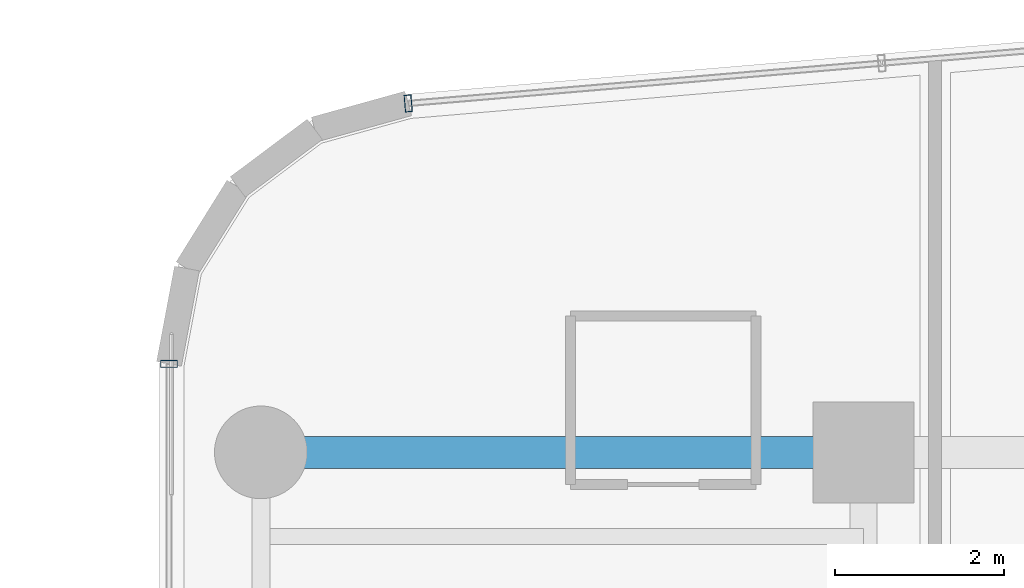
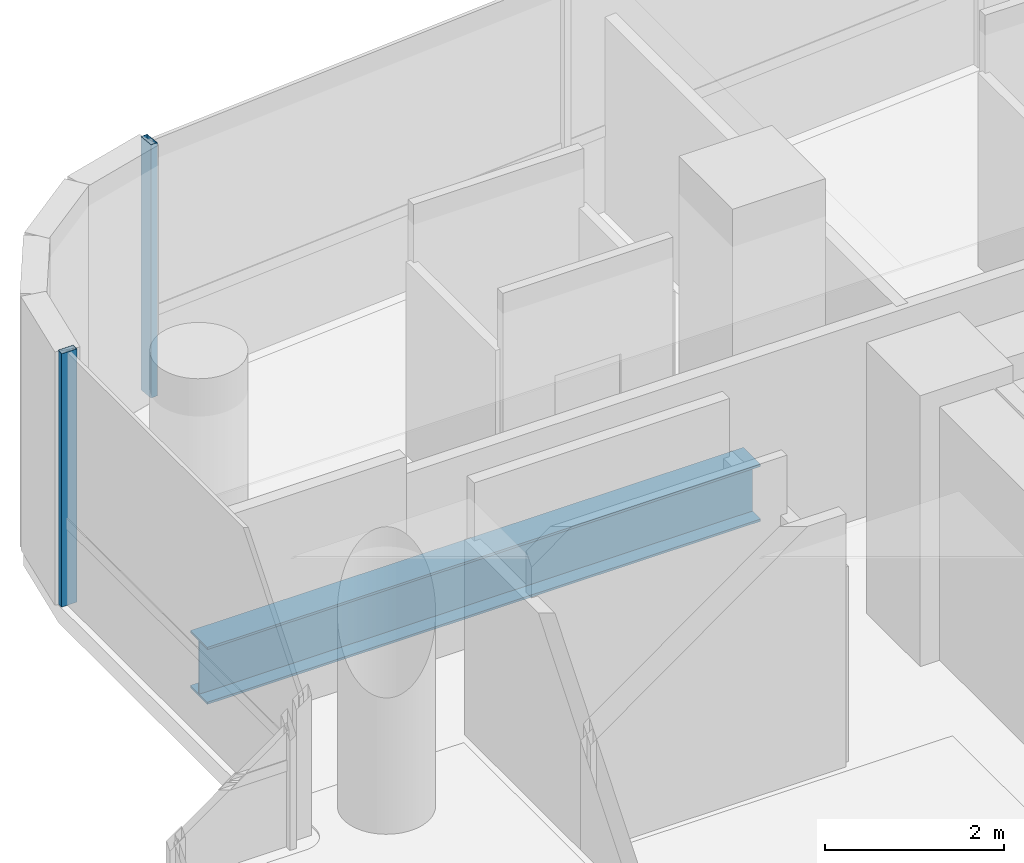
# One storey, part 18 of 35: 2 members, 1 beam, 2 elements without a shape of their own.
"""IFC4 building model written with IfcOpenShell, lengths in metres."""

from ifc_helpers import new_model, si_unit, direction, frame, origin, origin_2d, place, context, subcontext, project, spatial, hollow_rectangle, i_section, extrude, source, transform, mapped, material, material_profile, profile_set, type_object, element, aggregate, save


model = new_model("IFC4")

# Units and contexts
model_context = context("Model", 3, precision=1e-05, world=origin(), true_north=direction((0.0, 1.0)))
body_context = subcontext(model_context, "Body", "Model", "MODEL_VIEW")
ifc_project = project(units=[si_unit("LENGTHUNIT", "METRE"), si_unit("AREAUNIT", "SQUARE_METRE"), si_unit("VOLUMEUNIT", "CUBIC_METRE"), si_unit("PLANEANGLEUNIT", "RADIAN"), si_unit("MASSUNIT", "GRAM", prefix="KILO")], contexts=[model_context])

# Site, building, storey
site_placement = place(None, origin())
site = spatial("IfcSite", under=ifc_project, at=site_placement, CompositionType="ELEMENT")
building_placement = place(site_placement, origin())
building = spatial("IfcBuilding", under=site, at=building_placement, Name="Valdorenza Pilgrim Sanctuary Tower", CompositionType="ELEMENT")
storey_placement = place(building_placement, frame((0.0, 0.0, 113.10009765625)))
storey = spatial("IfcBuildingStorey", under=building, at=storey_placement, Name="L28", CompositionType="ELEMENT", Elevation=113.10009765625)

# Beam
ifc_material_1 = material(Name="Steel ASTM A992 Grade 50", Category="steel")
ifc_material_profile_1 = material_profile(ifc_material_1, i_section(OverallWidth=0.382080078125, OverallDepth=0.779052734375, WebThickness=0.01806640625, FlangeThickness=0.030029296875, at=origin_2d()), Name="W30X191")
ifc_profile_set_1 = profile_set([ifc_material_profile_1], Name="Steel ASTM A992 Grade 50")
beam_type = type_object("IfcBeamType", Name="STR-BM-GRD-W30", PredefinedType="BEAM", material=ifc_profile_set_1)
shared_shape_1 = source(origin(), body_context, "Body", "SweptSolid", [
    extrude(i_section(OverallWidth=0.382080078125, OverallDepth=0.779052734375, WebThickness=0.01806640625, FlangeThickness=0.030029296875, at=origin_2d()), origin(), (0.0, 0.0, 1.0), 7.150146484375),
])
beam_placement = place(storey_placement, frame((-29.800048828125, 14.800048828125, -0.629638671875), z_axis=(1.0, 0.0, 0.0), x_axis=(0.0, 1.0, 0.0)))
element("IfcBeam", 1, at=beam_placement, inside=storey, type_object=beam_type, Name="L28 Floor Girder WA-XW-N2", PredefinedType="BEAM", context=body_context, shape_type="MappedRepresentation", body=[
    mapped(shared_shape_1, transform((0.0, 0.0, 0.0), x_axis=(1.0, 0.0, 0.0), y_axis=(0.0, 1.0, 0.0), z_axis=(0.0, 0.0, 1.0), scale=1.0)),
])

# Curtain wall, member
ifc_material_2 = material(Name="Curtain-wall IGU glazing", Category="glass")
curtain_wall_type = type_object("IfcCurtainWallType", Name="CW-SYS-02", PredefinedType="NOTDEFINED", material=ifc_material_2)
curtain_wall_1_placement = place(storey_placement, origin())
curtain_wall_1 = element("IfcCurtainWall", 2, at=curtain_wall_1_placement, inside=storey, type_object=curtain_wall_type, Name="L28 Curtain Wall CW-L28-1-1S2", PredefinedType="NOTDEFINED")
ifc_material_3 = material(Name="Anodised aluminium AW-6060", Category="aluminium")
ifc_material_profile_2 = material_profile(ifc_material_3, hollow_rectangle(XDim=0.0849609375, YDim=0.199951171875, WallThickness=0.0048828125, at=origin_2d()), Name="ALU-M 200x85x5")
ifc_profile_set_2 = profile_set([ifc_material_profile_2], Name="Anodised aluminium AW-6060")
member_type = type_object("IfcMemberType", Name="CW-MUL-02", PredefinedType="MULLION", material=ifc_profile_set_2)
shared_shape_2 = source(origin(), body_context, "Body", "SweptSolid", [
    extrude(hollow_rectangle(XDim=0.0849609375, YDim=0.199951171875, WallThickness=0.0048828125, at=origin_2d()), origin(), (0.0, 0.0, 1.0), 3.4599609375),
])
member_1_placement = place(storey_placement, frame((-30.889892578125, 15.850341796875, 0.0), z_axis=(0.0, 0.0, 1.0), x_axis=(0.0, 1.0, 0.0)))
member_1 = element("IfcMember", 3, at=member_1_placement, type_object=member_type, Name="CW-L28-1-1S2 Mullion 2", PredefinedType="MULLION", context=body_context, shape_type="MappedRepresentation", body=[
    mapped(shared_shape_2, transform((0.0, 0.0, 0.0), x_axis=(1.0, 0.0, 0.0), y_axis=(0.0, 1.0, 0.0), z_axis=(0.0, 0.0, 1.0), scale=1.0)),
])
aggregate(curtain_wall_1, [member_1])

curtain_wall_2_placement = place(storey_placement, origin())
curtain_wall_2 = element("IfcCurtainWall", 4, at=curtain_wall_2_placement, inside=storey, type_object=curtain_wall_type, Name="L28 Curtain Wall CW-L28-1-6", PredefinedType="NOTDEFINED")
member_2_placement = place(storey_placement, frame((-28.051513671875, 18.940185546875, 0.0), z_axis=(0.0, 0.0, 1.0), x_axis=(0.99640764237, 0.084686541006, 0.0)))
member_2 = element("IfcMember", 5, at=member_2_placement, type_object=member_type, Name="CW-L28-1-6 Mullion 1", PredefinedType="MULLION", context=body_context, shape_type="MappedRepresentation", body=[
    mapped(shared_shape_2, transform((0.0, 0.0, 0.0), x_axis=(1.0, 0.0, 0.0), y_axis=(0.0, 1.0, 0.0), z_axis=(0.0, 0.0, 1.0), scale=1.0)),
])
aggregate(curtain_wall_2, [member_2])

save(model, "model.ifc")
